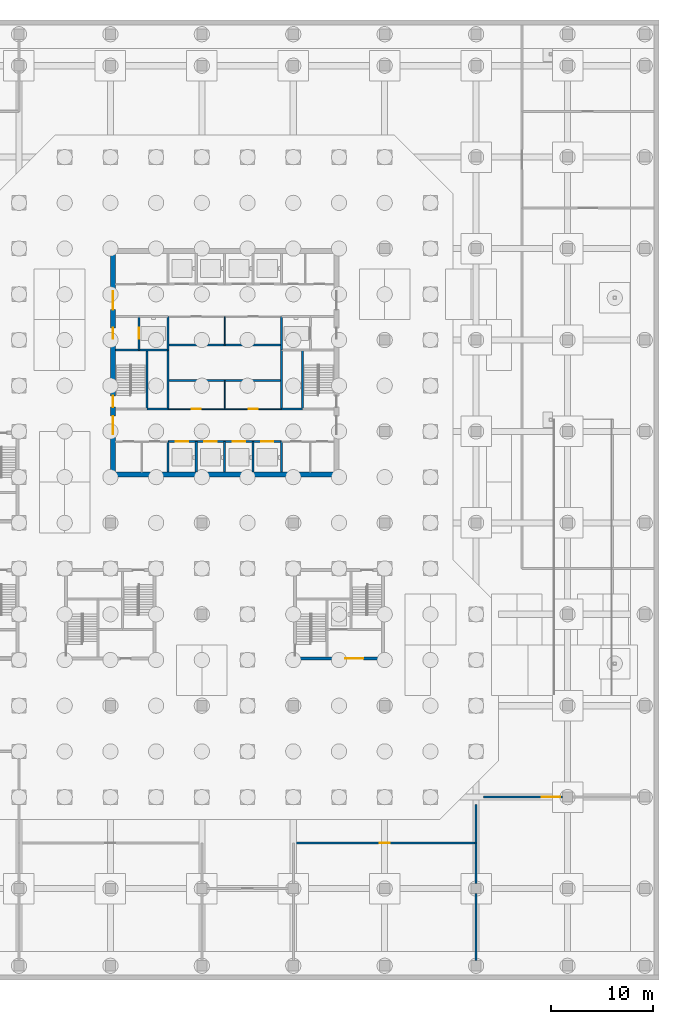
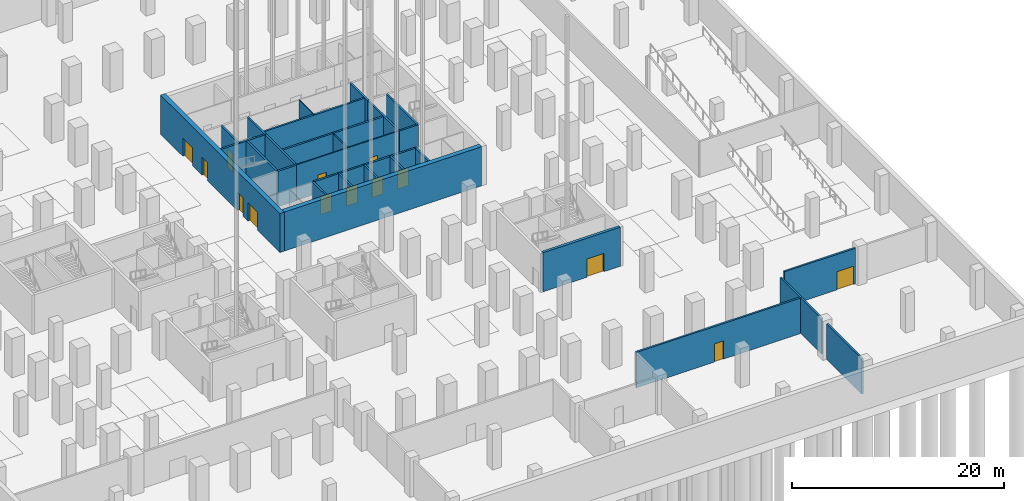
# One storey, part 15 of 37: 29 walls, 14 doors, 14 openings.
"""IFC4 building model written with IfcOpenShell, lengths in metres."""

from ifc_helpers import new_model, si_unit, direction, frame, frame_2d, origin, place, context, subcontext, project, spatial, rectangle, extrude, material, layer, layer_set, type_object, element, fill, save


model = new_model("IFC4")

# Units and contexts
model_context = context("Model", 3, precision=1e-05, world=origin(), true_north=direction((0.0, 1.0)))
body_context = subcontext(model_context, "Body", "Model", "MODEL_VIEW")
ifc_project = project(units=[si_unit("LENGTHUNIT", "METRE"), si_unit("AREAUNIT", "SQUARE_METRE"), si_unit("VOLUMEUNIT", "CUBIC_METRE"), si_unit("PLANEANGLEUNIT", "RADIAN"), si_unit("MASSUNIT", "GRAM", prefix="KILO")], contexts=[model_context])

# Site, building, storey
site_placement = place(None, origin())
site = spatial("IfcSite", under=ifc_project, at=site_placement, CompositionType="ELEMENT")
building_placement = place(site_placement, origin())
building = spatial("IfcBuilding", under=site, at=building_placement, Name="Quoin Convention Tower", CompositionType="ELEMENT")
storey_placement = place(building_placement, frame((0.0, 0.0, -9.0)))
storey = spatial("IfcBuildingStorey", under=building, at=storey_placement, Name="B2", CompositionType="ELEMENT", Elevation=-9.0)

# Wall, openings, doors
ifc_material_1 = material(Name="Plasterboard")
ifc_layer_1 = layer(ifc_material_1, 0.012451171875, Name="Finish")
ifc_material_2 = material(Name="Steel stud framing", Category="steel")
ifc_layer_2 = layer(ifc_material_2, 0.074951171875, Name="Structure")
ifc_layer_3 = layer(ifc_material_1, 0.012451171875, Name="Finish")
ifc_layer_set_1 = layer_set([ifc_layer_1, ifc_layer_2, ifc_layer_3], Name="Steel stud framing")
wall_type_1 = type_object("IfcWallType", Name="Core partition wall", PredefinedType="PARTITIONING", material=ifc_layer_set_1)
wall_1_placement = place(storey_placement, frame((50.64990234375, 56.199951171875, 0.0), z_axis=(0.0, 0.0, 1.0), x_axis=(1.0, 0.0, 0.0)))
wall_1 = element("IfcWall", 1, at=wall_1_placement, inside=storey, type_object=wall_type_1, Name="cr-C1-B2-h6700_5650", PredefinedType="PARTITIONING", context=body_context, shape_type="SweptSolid", body=[
    extrude(rectangle(XDim=11.2001953125, YDim=0.10009765625, at=frame_2d((5.60009765625, 0.0))), origin(), (0.0, 0.0, 1.0), 4.10009765625),
])
opening_1_placement = place(wall_1_placement, frame((2.35009765625, 0.0, 0.0)))
opening_1 = element("IfcOpeningElement", 2, at=opening_1_placement, cuts=wall_1, Name="Opening DCV0-54", PredefinedType="OPENING", context=body_context, shape_type="SweptSolid", body=[
    extrude(rectangle(XDim=0.89990234375, YDim=2.10009765625, at=frame_2d((0.449951171875, 1.050048828125))), frame((0.0, 0.06005859375, 0.0), z_axis=(0.0, -1.0, 0.0), x_axis=(1.0, 0.0, 0.0)), (0.0, 0.0, 1.0), 0.1201171875),
])
opening_2_placement = place(wall_1_placement, frame((7.949951171875, 0.0, 0.0)))
opening_2 = element("IfcOpeningElement", 3, at=opening_2_placement, cuts=wall_1, Name="Opening DCV0-55", PredefinedType="OPENING", context=body_context, shape_type="SweptSolid", body=[
    extrude(rectangle(XDim=0.89990234375, YDim=2.10009765625, at=frame_2d((0.449951171875, 1.050048828125))), frame((0.0, 0.06005859375, 0.0), z_axis=(0.0, -1.0, 0.0), x_axis=(1.0, 0.0, 0.0)), (0.0, 0.0, 1.0), 0.1201171875),
])
ifc_material_3 = material(Name="Steel door leaf", Category="steel")
door_type_1 = type_object("IfcDoorType", Name="Core room door 900 x 2100", OperationType="SINGLE_SWING_LEFT", PredefinedType="DOOR", material=ifc_material_3)
door_1_placement = place(opening_1_placement, origin())
door_1 = element("IfcDoor", 4, at=door_1_placement, inside=storey, type_object=door_type_1, Name="cd-C1-B2-F20-lobA-CDB214", OperationType="SINGLE_SWING_RIGHT", OverallHeight=2.10009765625, OverallWidth=0.89990234375, PredefinedType="DOOR", context=body_context, shape_type="SweptSolid", body=[
    extrude(rectangle(XDim=0.89990234375, YDim=2.10009765625, at=frame_2d((0.449951171875, 1.050048828125))), frame((0.0, 0.02490234375, 0.0), z_axis=(0.0, -1.0, 0.0), x_axis=(1.0, 0.0, 0.0)), (0.0, 0.0, 1.0), 0.050048828125),
])
fill(opening_1, door_1)
door_2_placement = place(opening_2_placement, origin())
door_2 = element("IfcDoor", 5, at=door_2_placement, inside=storey, type_object=door_type_1, Name="cd-C1-B2-F21-lobA-CDB215", OperationType="SINGLE_SWING_RIGHT", OverallHeight=2.10009765625, OverallWidth=0.89990234375, PredefinedType="DOOR", context=body_context, shape_type="SweptSolid", body=[
    extrude(rectangle(XDim=0.89990234375, YDim=2.10009765625, at=frame_2d((0.449951171875, 1.050048828125))), frame((0.0, 0.02490234375, 0.0), z_axis=(0.0, -1.0, 0.0), x_axis=(1.0, 0.0, 0.0)), (0.0, 0.0, 1.0), 0.050048828125),
])
fill(opening_2, door_2)

# Walls
for number, where, z_axis, x_axis, name in (
    (6, (56.25, 56.199951171875, 0.0), (0.0, 0.0, 1.0), (0.0, 1.0, 0.0), "cr-C1-B2-v11250_6700"),
    (7, (56.25, 62.5, 0.0), (0.0, 0.0, 1.0), (0.0, 1.0, 0.0), "cr-C1-B2-v11250_13000"),
):
    element("IfcWall", number, at=place(storey_placement, frame(where, z_axis=z_axis, x_axis=x_axis)), inside=storey, type_object=wall_type_1, Name=name, PredefinedType="PARTITIONING", context=body_context, shape_type="SweptSolid", body=[
        extrude(rectangle(XDim=2.800048828125, YDim=0.10009765625, at=frame_2d((1.39990234375, 0.0))), origin(), (0.0, 0.0, 1.0), 4.10009765625),
    ])

# Wall, openings, doors
ifc_material_4 = material(Name="Concrete C50", Category="concrete")
ifc_layer_4 = layer(ifc_material_4, 0.199951171875)
ifc_layer_set_2 = layer_set([ifc_layer_4], Name="Concrete C50")
wall_type_2 = type_object("IfcWallType", Name="Core shaft wall", PredefinedType="SOLIDWALL", material=ifc_layer_set_2)
wall_2_placement = place(storey_placement, frame((50.64990234375, 53.0, 0.0), z_axis=(0.0, 0.0, 1.0), x_axis=(1.0, 0.0, 0.0)))
wall_2 = element("IfcWall", 8, at=wall_2_placement, inside=storey, type_object=wall_type_2, Name="cr-C1-B2-h3500_5650", PredefinedType="SOLIDWALL", context=body_context, shape_type="SweptSolid", body=[
    extrude(rectangle(XDim=11.2001953125, YDim=0.199951171875, at=frame_2d((5.60009765625, 0.0))), origin(), (0.0, 0.0, 1.0), 4.10009765625),
])
opening_3_placement = place(wall_2_placement, frame((0.800048828125, 0.0, 0.0)))
opening_3 = element("IfcOpeningElement", 9, at=opening_3_placement, cuts=wall_2, Name="Opening LDL1", PredefinedType="OPENING", context=body_context, shape_type="SweptSolid", body=[
    extrude(rectangle(XDim=1.199951171875, YDim=2.10009765625, at=frame_2d((0.60009765625, 1.050048828125))), frame((0.0, 0.10986328125, 0.0), z_axis=(0.0, -1.0, 0.0), x_axis=(1.0, 0.0, 0.0)), (0.0, 0.0, 1.0), 0.219970703125),
])
opening_4_placement = place(wall_2_placement, frame((3.60009765625, 0.0, 0.0)))
opening_4 = element("IfcOpeningElement", 10, at=opening_4_placement, cuts=wall_2, Name="Opening LDL2", PredefinedType="OPENING", context=body_context, shape_type="SweptSolid", body=[
    extrude(rectangle(XDim=1.199951171875, YDim=2.10009765625, at=frame_2d((0.60009765625, 1.050048828125))), frame((0.0, 0.10986328125, 0.0), z_axis=(0.0, -1.0, 0.0), x_axis=(1.0, 0.0, 0.0)), (0.0, 0.0, 1.0), 0.219970703125),
])
opening_5_placement = place(wall_2_placement, frame((6.39990234375, 0.0, 0.0)))
opening_5 = element("IfcOpeningElement", 11, at=opening_5_placement, cuts=wall_2, Name="Opening LDL3", PredefinedType="OPENING", context=body_context, shape_type="SweptSolid", body=[
    extrude(rectangle(XDim=1.199951171875, YDim=2.10009765625, at=frame_2d((0.60009765625, 1.050048828125))), frame((0.0, 0.10986328125, 0.0), z_axis=(0.0, -1.0, 0.0), x_axis=(1.0, 0.0, 0.0)), (0.0, 0.0, 1.0), 0.219970703125),
])
opening_6_placement = place(wall_2_placement, frame((9.199951171875, 0.0, 0.0)))
opening_6 = element("IfcOpeningElement", 12, at=opening_6_placement, cuts=wall_2, Name="Opening LDL4", PredefinedType="OPENING", context=body_context, shape_type="SweptSolid", body=[
    extrude(rectangle(XDim=1.199951171875, YDim=2.10009765625, at=frame_2d((0.60009765625, 1.050048828125))), frame((0.0, 0.10986328125, 0.0), z_axis=(0.0, -1.0, 0.0), x_axis=(1.0, 0.0, 0.0)), (0.0, 0.0, 1.0), 0.219970703125),
])
door_type_2 = type_object("IfcDoorType", Name="Lift landing door 1200 x 2100", OperationType="DOUBLE_DOOR_SLIDING", PredefinedType="DOOR", material=ifc_material_3)
door_3_placement = place(opening_3_placement, origin())
door_3 = element("IfcDoor", 13, at=door_3_placement, inside=storey, type_object=door_type_2, Name="cd-C1-B2-R10-lobA-LDL1", OperationType="DOUBLE_DOOR_SLIDING", OverallHeight=2.10009765625, OverallWidth=1.199951171875, PredefinedType="DOOR", context=body_context, shape_type="SweptSolid", body=[
    extrude(rectangle(XDim=1.199951171875, YDim=2.10009765625, at=frame_2d((0.60009765625, 1.050048828125))), frame((0.0, 0.02490234375, 0.0), z_axis=(0.0, -1.0, 0.0), x_axis=(1.0, 0.0, 0.0)), (0.0, 0.0, 1.0), 0.050048828125),
])
fill(opening_3, door_3)
door_4_placement = place(opening_4_placement, origin())
door_4 = element("IfcDoor", 14, at=door_4_placement, inside=storey, type_object=door_type_2, Name="cd-C1-B2-R11-lobA-LDL2", OperationType="DOUBLE_DOOR_SLIDING", OverallHeight=2.10009765625, OverallWidth=1.199951171875, PredefinedType="DOOR", context=body_context, shape_type="SweptSolid", body=[
    extrude(rectangle(XDim=1.199951171875, YDim=2.10009765625, at=frame_2d((0.60009765625, 1.050048828125))), frame((0.0, 0.02490234375, 0.0), z_axis=(0.0, -1.0, 0.0), x_axis=(1.0, 0.0, 0.0)), (0.0, 0.0, 1.0), 0.050048828125),
])
fill(opening_4, door_4)
door_5_placement = place(opening_5_placement, origin())
door_5 = element("IfcDoor", 15, at=door_5_placement, inside=storey, type_object=door_type_2, Name="cd-C1-B2-R12-lobA-LDL3", OperationType="DOUBLE_DOOR_SLIDING", OverallHeight=2.10009765625, OverallWidth=1.199951171875, PredefinedType="DOOR", context=body_context, shape_type="SweptSolid", body=[
    extrude(rectangle(XDim=1.199951171875, YDim=2.10009765625, at=frame_2d((0.60009765625, 1.050048828125))), frame((0.0, 0.02490234375, 0.0), z_axis=(0.0, -1.0, 0.0), x_axis=(1.0, 0.0, 0.0)), (0.0, 0.0, 1.0), 0.050048828125),
])
fill(opening_5, door_5)
door_6_placement = place(opening_6_placement, origin())
door_6 = element("IfcDoor", 16, at=door_6_placement, inside=storey, type_object=door_type_2, Name="cd-C1-B2-R13-lobA-LDL4", OperationType="DOUBLE_DOOR_SLIDING", OverallHeight=2.10009765625, OverallWidth=1.199951171875, PredefinedType="DOOR", context=body_context, shape_type="SweptSolid", body=[
    extrude(rectangle(XDim=1.199951171875, YDim=2.10009765625, at=frame_2d((0.60009765625, 1.050048828125))), frame((0.0, 0.02490234375, 0.0), z_axis=(0.0, -1.0, 0.0), x_axis=(1.0, 0.0, 0.0)), (0.0, 0.0, 1.0), 0.050048828125),
])
fill(opening_6, door_6)

# Walls
for number, where, z_axis, x_axis, name in (
    (17, (48.60009765625, 56.199951171875, 0.0), (0.0, 0.0, 1.0), (1.0, 0.0, 0.0), "cr-C1-B2-h6700_3600"),
    (18, (61.85009765625, 56.199951171875, 0.0), (0.0, 0.0, 1.0), (1.0, 0.0, 0.0), "cr-C1-B2-h6700_16850"),
):
    element("IfcWall", number, at=place(storey_placement, frame(where, z_axis=z_axis, x_axis=x_axis)), inside=storey, type_object=wall_type_2, Name=name, PredefinedType="SOLIDWALL", context=body_context, shape_type="SweptSolid", body=[
        extrude(rectangle(XDim=2.0498046875, YDim=0.199951171875, at=frame_2d((1.02490234375, 0.0))), origin(), (0.0, 0.0, 1.0), 4.10009765625),
    ])
wall_3_placement = place(storey_placement, frame((50.64990234375, 59.0, 0.0), z_axis=(0.0, 0.0, 1.0), x_axis=(1.0, 0.0, 0.0)))
element("IfcWall", 19, at=wall_3_placement, inside=storey, type_object=wall_type_2, Name="cr-C1-B2-h9500_5650", PredefinedType="SOLIDWALL", context=body_context, shape_type="SweptSolid", body=[
    extrude(rectangle(XDim=11.2001953125, YDim=0.199951171875, at=frame_2d((5.60009765625, 0.0))), origin(), (0.0, 0.0, 1.0), 4.10009765625),
])
wall_4_placement = place(storey_placement, frame((45.5, 62.0, 0.0), z_axis=(0.0, 0.0, 1.0), x_axis=(1.0, 0.0, 0.0)))
element("IfcWall", 20, at=wall_4_placement, inside=storey, type_object=wall_type_2, Name="cr-C1-B2-h12500_500", PredefinedType="SOLIDWALL", context=body_context, shape_type="SweptSolid", body=[
    extrude(rectangle(XDim=5.14990234375, YDim=0.199951171875, at=frame_2d((2.574951171875, 0.0))), origin(), (0.0, 0.0, 1.0), 4.10009765625),
])
wall_5_placement = place(storey_placement, frame((50.64990234375, 62.5, 0.0), z_axis=(0.0, 0.0, 1.0), x_axis=(1.0, 0.0, 0.0)))
element("IfcWall", 21, at=wall_5_placement, inside=storey, type_object=wall_type_2, Name="cr-C1-B2-h13000_5650", PredefinedType="SOLIDWALL", context=body_context, shape_type="SweptSolid", body=[
    extrude(rectangle(XDim=11.2001953125, YDim=0.199951171875, at=frame_2d((5.60009765625, 0.0))), origin(), (0.0, 0.0, 1.0), 4.10009765625),
])

# Wall, opening, door
wall_6_placement = place(storey_placement, frame((47.800048828125, 62.0, 0.0), z_axis=(0.0, 0.0, 1.0), x_axis=(0.0, 1.0, 0.0)))
wall_6 = element("IfcWall", 22, at=wall_6_placement, inside=storey, type_object=wall_type_2, Name="cr-C1-B2-v2800_12500", PredefinedType="SOLIDWALL", context=body_context, shape_type="SweptSolid", body=[
    extrude(rectangle(XDim=3.300048828125, YDim=0.199951171875, at=frame_2d((1.64990234375, 0.0))), origin(), (0.0, 0.0, 1.0), 4.10009765625),
])
opening_7_placement = place(wall_6_placement, frame((1.10009765625, 0.0, 0.0)))
opening_7 = element("IfcOpeningElement", 23, at=opening_7_placement, cuts=wall_6, Name="Opening LDFL1", PredefinedType="OPENING", context=body_context, shape_type="SweptSolid", body=[
    extrude(rectangle(XDim=1.10009765625, YDim=2.10009765625, at=frame_2d((0.550048828125, 1.050048828125))), frame((0.0, 0.10986328125, 0.0), z_axis=(0.0, -1.0, 0.0), x_axis=(1.0, 0.0, 0.0)), (0.0, 0.0, 1.0), 0.219970703125),
])
door_type_3 = type_object("IfcDoorType", Name="Lift landing door 1100 x 2100", OperationType="DOUBLE_DOOR_SLIDING", PredefinedType="DOOR", material=ifc_material_3)
door_7_placement = place(opening_7_placement, origin())
door_7 = element("IfcDoor", 24, at=door_7_placement, inside=storey, type_object=door_type_3, Name="cd-C1-B2-FLW-FFW-LDFL1", OperationType="DOUBLE_DOOR_SLIDING", OverallHeight=2.10009765625, OverallWidth=1.10009765625, PredefinedType="DOOR", context=body_context, shape_type="SweptSolid", body=[
    extrude(rectangle(XDim=1.10009765625, YDim=2.10009765625, at=frame_2d((0.550048828125, 1.050048828125))), frame((0.0, 0.02490234375, 0.0), z_axis=(0.0, -1.0, 0.0), x_axis=(1.0, 0.0, 0.0)), (0.0, 0.0, 1.0), 0.050048828125),
])
fill(opening_7, door_7)

# Walls
for number, where, z_axis, x_axis, name in (
    (25, (48.60009765625, 56.199951171875, 0.0), (0.0, 0.0, 1.0), (0.0, 1.0, 0.0), "cr-C1-B2-v3600_6700"),
    (26, (50.64990234375, 56.199951171875, 0.0), (0.0, 0.0, 1.0), (0.0, 1.0, 0.0), "cr-C1-B2-v5650_6700"),
):
    element("IfcWall", number, at=place(storey_placement, frame(where, z_axis=z_axis, x_axis=x_axis)), inside=storey, type_object=wall_type_2, Name=name, PredefinedType="SOLIDWALL", context=body_context, shape_type="SweptSolid", body=[
        extrude(rectangle(XDim=5.800048828125, YDim=0.199951171875, at=frame_2d((2.89990234375, 0.0))), origin(), (0.0, 0.0, 1.0), 4.10009765625),
    ])
wall_7_placement = place(storey_placement, frame((50.64990234375, 50.0, 0.0), z_axis=(0.0, 0.0, 1.0), x_axis=(0.0, 1.0, 0.0)))
element("IfcWall", 27, at=wall_7_placement, inside=storey, type_object=wall_type_2, Name="cr-C1-B2-v5650_500", PredefinedType="SOLIDWALL", context=body_context, shape_type="SweptSolid", body=[
    extrude(rectangle(XDim=3.0, YDim=0.199951171875, at=frame_2d((1.5, 0.0))), origin(), (0.0, 0.0, 1.0), 4.10009765625),
])
wall_8_placement = place(storey_placement, frame((50.64990234375, 62.0, 0.0), z_axis=(0.0, 0.0, 1.0), x_axis=(0.0, 1.0, 0.0)))
element("IfcWall", 28, at=wall_8_placement, inside=storey, type_object=wall_type_2, Name="cr-C1-B2-v5650_12500", PredefinedType="SOLIDWALL", context=body_context, shape_type="SweptSolid", body=[
    extrude(rectangle(XDim=3.300048828125, YDim=0.199951171875, at=frame_2d((1.64990234375, 0.0))), origin(), (0.0, 0.0, 1.0), 4.10009765625),
])
for number, where, z_axis, x_axis, name in (
    (29, (53.449951171875, 50.0, 0.0), (0.0, 0.0, 1.0), (0.0, 1.0, 0.0), "cr-C1-B2-v8450_500"),
    (30, (56.25, 50.0, 0.0), (0.0, 0.0, 1.0), (0.0, 1.0, 0.0), "cr-C1-B2-v11250_500"),
    (31, (59.050048828125, 50.0, 0.0), (0.0, 0.0, 1.0), (0.0, 1.0, 0.0), "cr-C1-B2-v14050_500"),
):
    element("IfcWall", number, at=place(storey_placement, frame(where, z_axis=z_axis, x_axis=x_axis)), inside=storey, type_object=wall_type_2, Name=name, PredefinedType="SOLIDWALL", context=body_context, shape_type="SweptSolid", body=[
        extrude(rectangle(XDim=3.0, YDim=0.199951171875, at=frame_2d((1.5, 0.0))), origin(), (0.0, 0.0, 1.0), 4.10009765625),
    ])
wall_9_placement = place(storey_placement, frame((61.85009765625, 56.199951171875, 0.0), z_axis=(0.0, 0.0, 1.0), x_axis=(0.0, 1.0, 0.0)))
element("IfcWall", 32, at=wall_9_placement, inside=storey, type_object=wall_type_2, Name="cr-C1-B2-v16850_6700", PredefinedType="SOLIDWALL", context=body_context, shape_type="SweptSolid", body=[
    extrude(rectangle(XDim=5.800048828125, YDim=0.199951171875, at=frame_2d((2.89990234375, 0.0))), origin(), (0.0, 0.0, 1.0), 4.10009765625),
])
wall_10_placement = place(storey_placement, frame((61.85009765625, 50.0, 0.0), z_axis=(0.0, 0.0, 1.0), x_axis=(0.0, 1.0, 0.0)))
element("IfcWall", 33, at=wall_10_placement, inside=storey, type_object=wall_type_2, Name="cr-C1-B2-v16850_500", PredefinedType="SOLIDWALL", context=body_context, shape_type="SweptSolid", body=[
    extrude(rectangle(XDim=3.0, YDim=0.199951171875, at=frame_2d((1.5, 0.0))), origin(), (0.0, 0.0, 1.0), 4.10009765625),
])
wall_11_placement = place(storey_placement, frame((61.85009765625, 62.0, 0.0), z_axis=(0.0, 0.0, 1.0), x_axis=(0.0, 1.0, 0.0)))
element("IfcWall", 34, at=wall_11_placement, inside=storey, type_object=wall_type_2, Name="cr-C1-B2-v16850_12500", PredefinedType="SOLIDWALL", context=body_context, shape_type="SweptSolid", body=[
    extrude(rectangle(XDim=3.300048828125, YDim=0.199951171875, at=frame_2d((1.64990234375, 0.0))), origin(), (0.0, 0.0, 1.0), 4.10009765625),
])
wall_12_placement = place(storey_placement, frame((63.89990234375, 56.199951171875, 0.0), z_axis=(0.0, 0.0, 1.0), x_axis=(0.0, 1.0, 0.0)))
element("IfcWall", 35, at=wall_12_placement, inside=storey, type_object=wall_type_2, Name="cr-C1-B2-v18900_6700", PredefinedType="SOLIDWALL", context=body_context, shape_type="SweptSolid", body=[
    extrude(rectangle(XDim=5.800048828125, YDim=0.199951171875, at=frame_2d((2.89990234375, 0.0))), origin(), (0.0, 0.0, 1.0), 4.10009765625),
])
ifc_layer_5 = layer(ifc_material_1, 0.012451171875, Name="Finish")
ifc_layer_6 = layer(ifc_material_2, 0.175048828125, Name="Structure")
ifc_layer_7 = layer(ifc_material_1, 0.012451171875, Name="Finish")
ifc_layer_set_3 = layer_set([ifc_layer_5, ifc_layer_6, ifc_layer_7], Name="Steel stud framing")
wall_type_3 = type_object("IfcWallType", Name="Plant room wall 200", PredefinedType="PARTITIONING", material=ifc_layer_set_3)
wall_13_placement = place(storey_placement, frame((81.0, 1.89990234375, 0.0), z_axis=(0.0, 0.0, 1.0), x_axis=(0.0, 1.0, 0.0)))
element("IfcWall", 36, at=wall_13_placement, inside=storey, type_object=wall_type_3, Name="pw-B2-005", PredefinedType="PARTITIONING", context=body_context, shape_type="SweptSolid", body=[
    extrude(rectangle(XDim=6.60009765625, YDim=0.199951171875, at=frame_2d((3.300048828125, 0.0))), origin(), (0.0, 0.0, 1.0), 4.10009765625),
])
wall_14_placement = place(storey_placement, frame((81.0, 9.5, 0.0), z_axis=(0.0, 0.0, 1.0), x_axis=(0.0, 1.0, 0.0)))
element("IfcWall", 37, at=wall_14_placement, inside=storey, type_object=wall_type_3, Name="pw-B2-006", PredefinedType="PARTITIONING", context=body_context, shape_type="SweptSolid", body=[
    extrude(rectangle(XDim=4.0, YDim=0.199951171875, at=frame_2d((2.0, 0.0))), origin(), (0.0, 0.0, 1.0), 4.10009765625),
])

# Wall, opening, door
wall_15_placement = place(storey_placement, frame((63.0, 13.5, 0.0), z_axis=(0.0, 0.0, 1.0), x_axis=(1.0, 0.0, 0.0)))
wall_15 = element("IfcWall", 38, at=wall_15_placement, inside=storey, type_object=wall_type_3, Name="pw-B2-013", PredefinedType="PARTITIONING", context=body_context, shape_type="SweptSolid", body=[
    extrude(rectangle(XDim=18.0, YDim=0.199951171875, at=frame_2d((9.0, 0.0))), origin(), (0.0, 0.0, 1.0), 4.10009765625),
])
opening_8_placement = place(wall_15_placement, frame((8.5, 0.0, 0.0)))
opening_8 = element("IfcOpeningElement", 39, at=opening_8_placement, cuts=wall_15, Name="Opening DPDB2-03", PredefinedType="OPENING", context=body_context, shape_type="SweptSolid", body=[
    extrude(rectangle(XDim=1.0, YDim=2.10009765625, at=frame_2d((0.5, 1.050048828125))), frame((0.0, 0.10986328125, 0.0), z_axis=(0.0, -1.0, 0.0), x_axis=(1.0, 0.0, 0.0)), (0.0, 0.0, 1.0), 0.219970703125),
])
door_type_4 = type_object("IfcDoorType", Name="Plant door 1000", OperationType="SINGLE_SWING_RIGHT", PredefinedType="DOOR", material=ifc_material_3)
door_8_placement = place(opening_8_placement, origin())
door_8 = element("IfcDoor", 40, at=door_8_placement, inside=storey, type_object=door_type_4, Name="dr-B2-004", OperationType="SINGLE_SWING_RIGHT", OverallHeight=2.10009765625, OverallWidth=1.0, PredefinedType="DOOR", context=body_context, shape_type="SweptSolid", body=[
    extrude(rectangle(XDim=1.0, YDim=2.10009765625, at=frame_2d((0.5, 1.050048828125))), frame((0.0, 0.02490234375, 0.0), z_axis=(0.0, -1.0, 0.0), x_axis=(1.0, 0.0, 0.0)), (0.0, 0.0, 1.0), 0.050048828125),
])
fill(opening_8, door_8)

# Wall
wall_16_placement = place(storey_placement, frame((81.0, 13.5, 0.0), z_axis=(0.0, 0.0, 1.0), x_axis=(0.0, 1.0, 0.0)))
element("IfcWall", 41, at=wall_16_placement, inside=storey, type_object=wall_type_3, Name="pw-B2-014", PredefinedType="PARTITIONING", context=body_context, shape_type="SweptSolid", body=[
    extrude(rectangle(XDim=3.780029296875, YDim=0.199951171875, at=frame_2d((1.89013671875, 0.0))), origin(), (0.0, 0.0, 1.0), 4.10009765625),
])

# Wall, opening, door
wall_17_placement = place(storey_placement, frame((81.719970703125, 18.0, 0.0), z_axis=(0.0, 0.0, 1.0), x_axis=(1.0, 0.0, 0.0)))
wall_17 = element("IfcWall", 42, at=wall_17_placement, inside=storey, type_object=wall_type_3, Name="pw-B2-015", PredefinedType="PARTITIONING", context=body_context, shape_type="SweptSolid", body=[
    extrude(rectangle(XDim=7.780029296875, YDim=0.199951171875, at=frame_2d((3.89013671875, 0.0))), origin(), (0.0, 0.0, 1.0), 4.10009765625),
])
opening_9_placement = place(wall_17_placement, frame((5.760009765625, 0.0, 0.0)))
opening_9 = element("IfcOpeningElement", 43, at=opening_9_placement, cuts=wall_17, Name="Opening DPDB2-04", PredefinedType="OPENING", context=body_context, shape_type="SweptSolid", body=[
    extrude(rectangle(XDim=1.800048828125, YDim=2.10009765625, at=frame_2d((0.89990234375, 1.050048828125))), frame((0.0, 0.10986328125, 0.0), z_axis=(0.0, -1.0, 0.0), x_axis=(1.0, 0.0, 0.0)), (0.0, 0.0, 1.0), 0.219970703125),
])
door_type_5 = type_object("IfcDoorType", Name="Plant door pair 1800", OperationType="DOUBLE_DOOR_SINGLE_SWING", PredefinedType="DOOR", material=ifc_material_3)
door_9_placement = place(opening_9_placement, origin())
door_9 = element("IfcDoor", 44, at=door_9_placement, inside=storey, type_object=door_type_5, Name="dr-B2-005", OperationType="DOUBLE_DOOR_SINGLE_SWING", OverallHeight=2.10009765625, OverallWidth=1.800048828125, PredefinedType="DOOR", context=body_context, shape_type="SweptSolid", body=[
    extrude(rectangle(XDim=1.800048828125, YDim=2.10009765625, at=frame_2d((0.89990234375, 1.050048828125))), frame((0.0, 0.02490234375, 0.0), z_axis=(0.0, -1.0, 0.0), x_axis=(1.0, 0.0, 0.0)), (0.0, 0.0, 1.0), 0.050048828125),
])
fill(opening_9, door_9)

ifc_material_5 = material(Name="Concrete C100 (100 MPa)", Category="concrete")
ifc_layer_8 = layer(ifc_material_5, 0.300048828125)
ifc_layer_set_4 = layer_set([ifc_layer_8], Name="Concrete C100 (100 MPa)")
wall_type_4 = type_object("IfcWallType", Name="RC CORE WALL 300 C100", PredefinedType="SHEAR", material=ifc_layer_set_4)
wall_18_placement = place(storey_placement, frame((63.300048828125, 31.64990234375, 0.0), z_axis=(0.0, 0.0, 1.0), x_axis=(1.0, 0.0, 0.0)))
wall_18 = element("IfcWall", 45, at=wall_18_placement, inside=storey, type_object=wall_type_4, Name="cwl-P5-B2-S", PredefinedType="SHEAR", context=body_context, shape_type="SweptSolid", body=[
    extrude(rectangle(XDim=8.39990234375, YDim=0.300048828125, at=frame_2d((4.199951171875, 0.0))), origin(), (0.0, 0.0, 1.0), 4.5),
])
opening_10_placement = place(wall_18_placement, frame((4.800048828125, 0.0, 0.0)))
opening_10 = element("IfcOpeningElement", 46, at=opening_10_placement, cuts=wall_18, Name="Opening DCV0-63", PredefinedType="OPENING", context=body_context, shape_type="SweptSolid", body=[
    extrude(rectangle(XDim=1.800048828125, YDim=2.10009765625, at=frame_2d((0.89990234375, 1.050048828125))), frame((0.0, 0.159912109375, 0.0), z_axis=(0.0, -1.0, 0.0), x_axis=(1.0, 0.0, 0.0)), (0.0, 0.0, 1.0), 0.320068359375),
])
door_type_6 = type_object("IfcDoorType", Name="Goods lobby door 1800 x 2100", OperationType="SINGLE_SWING_LEFT", PredefinedType="DOOR", material=ifc_material_3)
door_10_placement = place(opening_10_placement, frame((1.800048828125, 0.0, 0.0), z_axis=(0.0, 0.0, 1.0), x_axis=(-1.0, 0.0, 0.0)))
door_10 = element("IfcDoor", 47, at=door_10_placement, inside=storey, type_object=door_type_6, Name="cd-P5-B2-R2-S", OperationType="SINGLE_SWING_LEFT", OverallHeight=2.10009765625, OverallWidth=1.800048828125, PredefinedType="DOOR", context=body_context, shape_type="SweptSolid", body=[
    extrude(rectangle(XDim=1.800048828125, YDim=2.10009765625, at=frame_2d((0.89990234375, 1.050048828125))), frame((0.0, 0.02490234375, 0.0), z_axis=(0.0, -1.0, 0.0), x_axis=(1.0, 0.0, 0.0)), (0.0, 0.0, 1.0), 0.050048828125),
])
fill(opening_10, door_10)

# Wall
ifc_layer_9 = layer(ifc_material_5, 0.5)
ifc_layer_set_5 = layer_set([ifc_layer_9], Name="Concrete C100 (100 MPa)")
wall_type_5 = type_object("IfcWallType", Name="RC CORE WALL 500 C100", PredefinedType="SHEAR", material=ifc_layer_set_5)
wall_19_placement = place(storey_placement, frame((45.5, 49.75, 0.0), z_axis=(0.0, 0.0, 1.0), x_axis=(1.0, 0.0, 0.0)))
element("IfcWall", 48, at=wall_19_placement, inside=storey, type_object=wall_type_5, Name="cwl-C1-B2-S", PredefinedType="SHEAR", context=body_context, shape_type="SweptSolid", body=[
    extrude(rectangle(XDim=21.5, YDim=0.5, at=frame_2d((10.75, 0.0))), origin(), (0.0, 0.0, 1.0), 4.5),
])

# Wall, openings, doors
wall_20_placement = place(storey_placement, frame((45.25, 49.5, 0.0), z_axis=(0.0, 0.0, 1.0), x_axis=(0.0, 1.0, 0.0)))
wall_20 = element("IfcWall", 49, at=wall_20_placement, inside=storey, type_object=wall_type_5, Name="cwl-C1-B2-W", PredefinedType="SHEAR", context=body_context, shape_type="SweptSolid", body=[
    extrude(rectangle(XDim=22.5, YDim=0.5, at=frame_2d((11.25, 0.0))), origin(), (0.0, 0.0, 1.0), 4.5),
])
opening_11_placement = place(wall_20_placement, frame((4.199951171875, 0.0, 0.0)))
opening_11 = element("IfcOpeningElement", 50, at=opening_11_placement, cuts=wall_20, Name="Opening DCV0-59", PredefinedType="OPENING", context=body_context, shape_type="SweptSolid", body=[
    extrude(rectangle(XDim=1.800048828125, YDim=2.10009765625, at=frame_2d((0.89990234375, 1.050048828125))), frame((0.0, 0.260009765625, 0.0), z_axis=(0.0, -1.0, 0.0), x_axis=(1.0, 0.0, 0.0)), (0.0, 0.0, 1.0), 0.52001953125),
])
opening_12_placement = place(wall_20_placement, frame((6.89990234375, 0.0, 0.0)))
opening_12 = element("IfcOpeningElement", 51, at=opening_12_placement, cuts=wall_20, Name="Opening SD1", PredefinedType="OPENING", context=body_context, shape_type="SweptSolid", body=[
    extrude(rectangle(XDim=1.10009765625, YDim=2.10009765625, at=frame_2d((0.550048828125, 1.050048828125))), frame((0.0, 0.260009765625, 0.0), z_axis=(0.0, -1.0, 0.0), x_axis=(1.0, 0.0, 0.0)), (0.0, 0.0, 1.0), 0.52001953125),
])
opening_13_placement = place(wall_20_placement, frame((13.60009765625, 0.0, 0.0)))
opening_13 = element("IfcOpeningElement", 52, at=opening_13_placement, cuts=wall_20, Name="Opening DCV0-58", PredefinedType="OPENING", context=body_context, shape_type="SweptSolid", body=[
    extrude(rectangle(XDim=1.10009765625, YDim=2.10009765625, at=frame_2d((0.550048828125, 1.050048828125))), frame((0.0, 0.260009765625, 0.0), z_axis=(0.0, -1.0, 0.0), x_axis=(1.0, 0.0, 0.0)), (0.0, 0.0, 1.0), 0.52001953125),
])
opening_14_placement = place(wall_20_placement, frame((16.5, 0.0, 0.0)))
opening_14 = element("IfcOpeningElement", 53, at=opening_14_placement, cuts=wall_20, Name="Opening DCV0-59", PredefinedType="OPENING", context=body_context, shape_type="SweptSolid", body=[
    extrude(rectangle(XDim=1.800048828125, YDim=2.10009765625, at=frame_2d((0.89990234375, 1.050048828125))), frame((0.0, 0.260009765625, 0.0), z_axis=(0.0, -1.0, 0.0), x_axis=(1.0, 0.0, 0.0)), (0.0, 0.0, 1.0), 0.52001953125),
])
door_type_7 = type_object("IfcDoorType", Name="Fire-fighting lobby door 1100 x 2100", OperationType="SINGLE_SWING_LEFT", PredefinedType="DOOR", material=ifc_material_3)
door_11_placement = place(opening_13_placement, origin())
door_11 = element("IfcDoor", 54, at=door_11_placement, inside=storey, type_object=door_type_7, Name="cd-C1-B2-FFW-W", OperationType="SINGLE_SWING_RIGHT", OverallHeight=2.10009765625, OverallWidth=1.10009765625, PredefinedType="DOOR", context=body_context, shape_type="SweptSolid", body=[
    extrude(rectangle(XDim=1.10009765625, YDim=2.10009765625, at=frame_2d((0.550048828125, 1.050048828125))), frame((0.0, 0.02490234375, 0.0), z_axis=(0.0, -1.0, 0.0), x_axis=(1.0, 0.0, 0.0)), (0.0, 0.0, 1.0), 0.050048828125),
])
fill(opening_13, door_11)
door_type_8 = type_object("IfcDoorType", Name="Lift lobby door 1800 x 2100", OperationType="SINGLE_SWING_LEFT", PredefinedType="DOOR", material=ifc_material_3)
door_12_placement = place(opening_11_placement, origin())
door_12 = element("IfcDoor", 55, at=door_12_placement, inside=storey, type_object=door_type_8, Name="cd-C1-B2-lobA-W", OperationType="SINGLE_SWING_LEFT", OverallHeight=2.10009765625, OverallWidth=1.800048828125, PredefinedType="DOOR", context=body_context, shape_type="SweptSolid", body=[
    extrude(rectangle(XDim=1.800048828125, YDim=2.10009765625, at=frame_2d((0.89990234375, 1.050048828125))), frame((0.0, 0.02490234375, 0.0), z_axis=(0.0, -1.0, 0.0), x_axis=(1.0, 0.0, 0.0)), (0.0, 0.0, 1.0), 0.050048828125),
])
fill(opening_11, door_12)
door_13_placement = place(opening_14_placement, origin())
door_13 = element("IfcDoor", 56, at=door_13_placement, inside=storey, type_object=door_type_8, Name="cd-C1-B2-lobB-W", OperationType="SINGLE_SWING_RIGHT", OverallHeight=2.10009765625, OverallWidth=1.800048828125, PredefinedType="DOOR", context=body_context, shape_type="SweptSolid", body=[
    extrude(rectangle(XDim=1.800048828125, YDim=2.10009765625, at=frame_2d((0.89990234375, 1.050048828125))), frame((0.0, 0.02490234375, 0.0), z_axis=(0.0, -1.0, 0.0), x_axis=(1.0, 0.0, 0.0)), (0.0, 0.0, 1.0), 0.050048828125),
])
fill(opening_14, door_13)
door_type_9 = type_object("IfcDoorType", Name="Stair door 1100 x 2100", OperationType="SINGLE_SWING_RIGHT", PredefinedType="DOOR", material=ifc_material_3)
door_14_placement = place(opening_12_placement, frame((1.10009765625, 0.0, 0.0), z_axis=(0.0, 0.0, 1.0), x_axis=(-1.0, 0.0, 0.0)))
door_14 = element("IfcDoor", 57, at=door_14_placement, inside=storey, type_object=door_type_9, Name="cd-C1-B2-STW-W", OperationType="SINGLE_SWING_RIGHT", OverallHeight=2.10009765625, OverallWidth=1.10009765625, PredefinedType="DOOR", context=body_context, shape_type="SweptSolid", body=[
    extrude(rectangle(XDim=1.10009765625, YDim=2.10009765625, at=frame_2d((0.550048828125, 1.050048828125))), frame((0.0, 0.02490234375, 0.0), z_axis=(0.0, -1.0, 0.0), x_axis=(1.0, 0.0, 0.0)), (0.0, 0.0, 1.0), 0.050048828125),
])
fill(opening_12, door_14)

save(model, "model.ifc")
